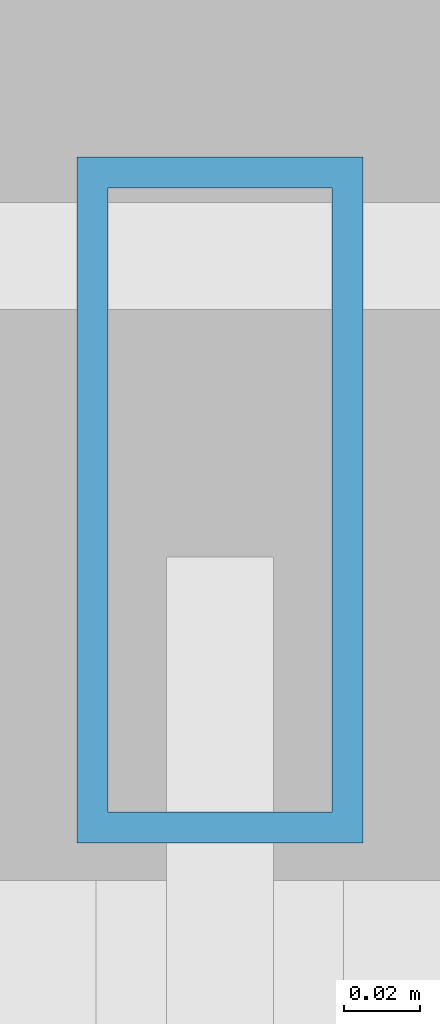
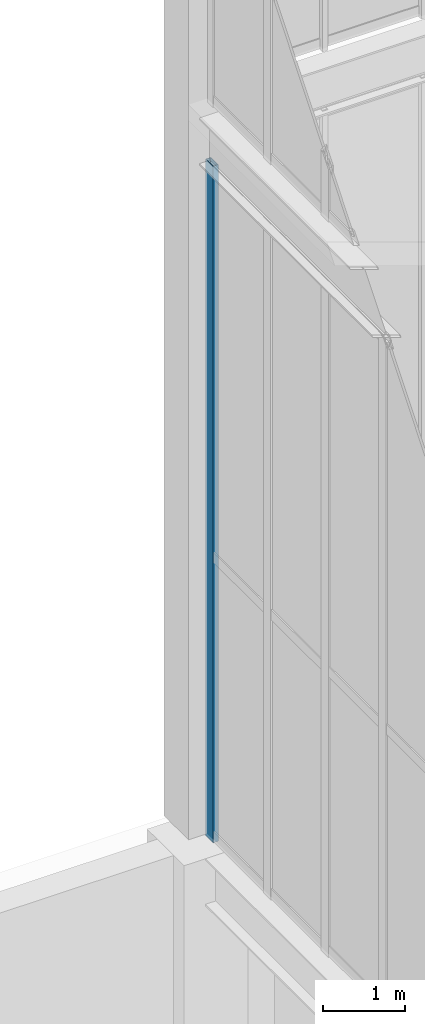
# One storey, part 105 of 135: 1 member, 1 element without a shape of its own.
"""IFC4 building model written with IfcOpenShell, lengths in metres."""

from ifc_helpers import new_model, si_unit, direction, frame, origin, origin_2d, place, context, subcontext, project, spatial, hollow_rectangle, extrude, source, transform, mapped, material, layer, layer_set, material_profile, profile_set, type_object, element, aggregate, save


model = new_model("IFC4")

# Units and contexts
model_context = context("Model", 3, precision=1e-05, world=origin(), true_north=direction((0.0, 1.0)))
body_context = subcontext(model_context, "Body", "Model", "MODEL_VIEW")
ifc_project = project(units=[si_unit("LENGTHUNIT", "METRE"), si_unit("AREAUNIT", "SQUARE_METRE"), si_unit("VOLUMEUNIT", "CUBIC_METRE"), si_unit("PLANEANGLEUNIT", "RADIAN"), si_unit("MASSUNIT", "GRAM", prefix="KILO")], contexts=[model_context])

# Site, building, storey
site_placement = place(None, origin())
site = spatial("IfcSite", under=ifc_project, at=site_placement, CompositionType="ELEMENT")
building_placement = place(site_placement, origin())
building = spatial("IfcBuilding", under=site, at=building_placement, Name="Giltprow Tower", CompositionType="ELEMENT")
storey_placement = place(building_placement, frame((0.0, 0.0, 352.699951171875)))
storey = spatial("IfcBuildingStorey", under=building, at=storey_placement, Name="L92", CompositionType="ELEMENT", Elevation=352.699951171875)

# Curtain wall, member
ifc_material = material(Name="Anodized bronze", Category="metal")
ifc_layer = layer(ifc_material, 0.179931640625, Name="Anodized bronze")
ifc_layer_set = layer_set([ifc_layer], Name="Anodized bronze")
curtain_wall_type = type_object("IfcCurtainWallType", Name="CW-CROWN-LANTERN", PredefinedType="NOTDEFINED", material=ifc_layer_set)
curtain_wall_placement = place(storey_placement, origin())
curtain_wall = element("IfcCurtainWall", 1, at=curtain_wall_placement, inside=storey, type_object=curtain_wall_type, Name="Crown East Lower Lantern Glazing 5", PredefinedType="NOTDEFINED")
ifc_material_profile = material_profile(ifc_material, hollow_rectangle(XDim=0.074951171875, YDim=0.179931640625, WallThickness=0.008056640625, at=origin_2d()), Name="RHS 180x75x8")
ifc_profile_set = profile_set([ifc_material_profile], Name="Anodized bronze")
member_type = type_object("IfcMemberType", Name="CW-MULLION-180x75", PredefinedType="MULLION", material=ifc_profile_set)
shared_shape = source(origin(), body_context, "Body", "SweptSolid", [
    extrude(hollow_rectangle(XDim=0.074951171875, YDim=0.179931640625, WallThickness=0.008056640625, at=origin_2d()), origin(), (0.0, 0.0, 1.0), 10.030029296875),
])
member_placement = place(storey_placement, frame((44.300048828125, 46.199951171875, 6.35009765625), z_axis=(0.0, 0.0, 1.0), x_axis=(1.0, 0.0, 0.0)))
member = element("IfcMember", 2, at=member_placement, type_object=member_type, Name="Crown East Lower Lantern Glazing 5 Mullion 1", PredefinedType="MULLION", context=body_context, shape_type="MappedRepresentation", body=[
    mapped(shared_shape, transform((0.0, 0.0, 0.0), x_axis=(1.0, 0.0, 0.0), y_axis=(0.0, 1.0, 0.0), z_axis=(0.0, 0.0, 1.0), scale=1.0)),
])
aggregate(curtain_wall, [member])

save(model, "model.ifc")
